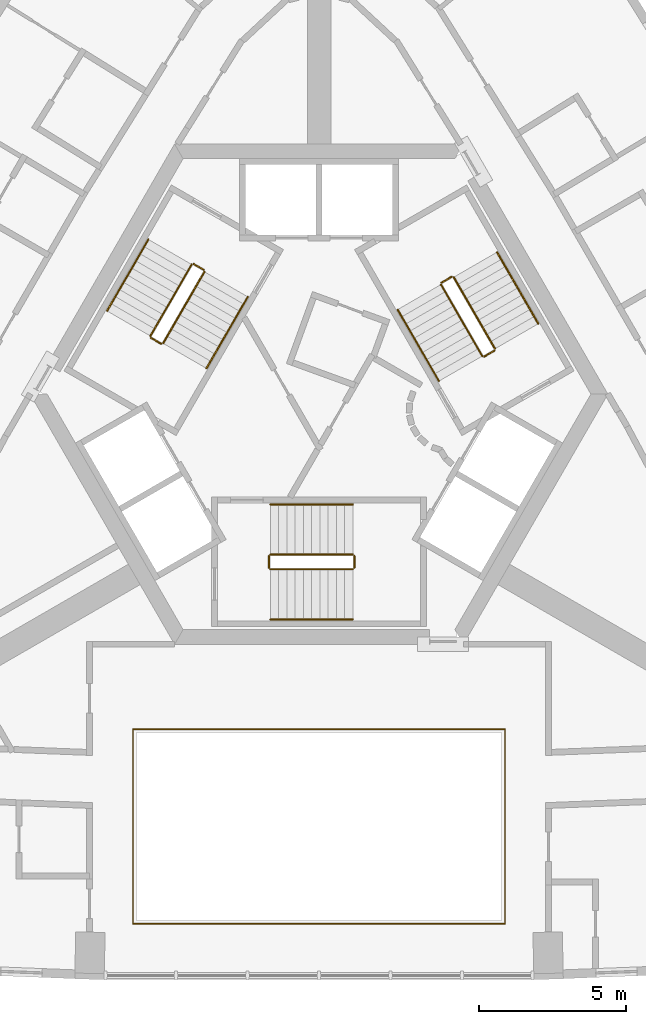
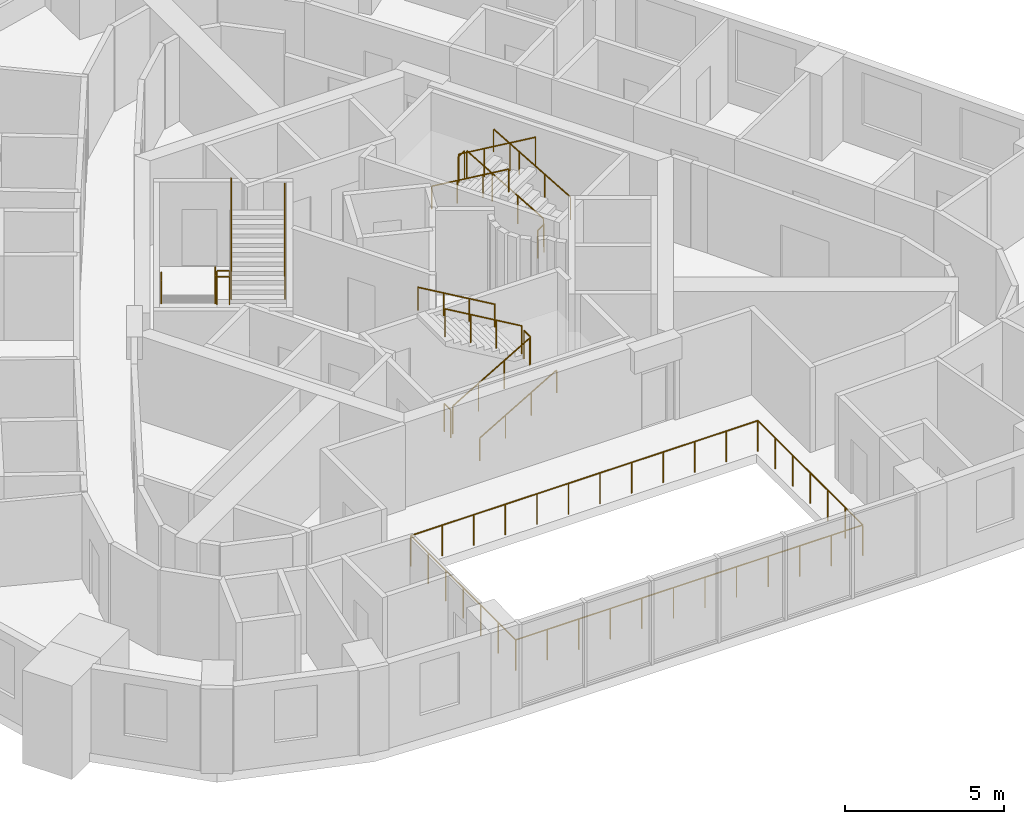
# One storey, part 9 of 9: 19 railings.
"""IFC4 building model written with IfcOpenShell, lengths in metres."""

from ifc_helpers import new_model, si_unit, direction, frame, origin, origin_2d, place, context, subcontext, project, spatial, circle, extrude, material, type_object, element, save


model = new_model("IFC4")

# Units and contexts
model_context = context("Model", 3, precision=1e-05, world=origin(), true_north=direction((0.0, 1.0)))
body_context = subcontext(model_context, "Body", "Model", "MODEL_VIEW")
ifc_project = project(units=[si_unit("LENGTHUNIT", "METRE"), si_unit("AREAUNIT", "SQUARE_METRE"), si_unit("VOLUMEUNIT", "CUBIC_METRE"), si_unit("PLANEANGLEUNIT", "RADIAN"), si_unit("MASSUNIT", "GRAM", prefix="KILO")], contexts=[model_context])

# Site, building, storey
site_placement = place(None, origin())
site = spatial("IfcSite", under=ifc_project, at=site_placement, CompositionType="ELEMENT")
building_placement = place(site_placement, origin())
building = spatial("IfcBuilding", under=site, at=building_placement, Name="Entoto Arch Interchange Tower", CompositionType="ELEMENT")
storey_placement = place(building_placement, frame((0.0, 0.0, 290.0)))
storey = spatial("IfcBuildingStorey", under=building, at=storey_placement, Name="L67", CompositionType="ELEMENT", Elevation=290.0)

# Railings
ifc_material = material(Name="Stainless steel 1.4301", Category="steel")
railing_type_1 = type_object("IfcRailingType", Name="ATRIUM GUARD 1200 STEEL AND GLASS", PredefinedType="GUARDRAIL", material=ifc_material)
railing_1_placement = place(storey_placement, frame((6.320068359375, -15.5009765625, 0.0)))
element("IfcRailing", 1, at=railing_1_placement, inside=storey, type_object=railing_type_1, Name="Atrium guard L67", PredefinedType="GUARDRAIL", context=body_context, shape_type="SweptSolid", body=[
    extrude(circle(Radius=0.02392578125, at=origin_2d()), frame((0.0, 0.0, 1.17578125), z_axis=(-1.0, 0.0, 0.0), x_axis=(0.0, -1.0, 0.0)), (0.0, 0.0, 1.0), 12.64013671875),
    extrude(circle(Radius=0.02392578125, at=origin_2d()), frame((-12.64013671875, 0.0, 1.17578125), z_axis=(0.0, 1.0, 0.0), x_axis=(-1.0, 0.0, 0.0)), (0.0, 0.0, 1.0), 6.62109375),
    extrude(circle(Radius=0.02392578125, at=origin_2d()), frame((-12.64013671875, 6.62109375, 1.17578125), z_axis=(1.0, 0.0, 0.0), x_axis=(0.0, 1.0, 0.0)), (0.0, 0.0, 1.0), 12.64013671875),
    extrude(circle(Radius=0.02392578125, at=origin_2d()), frame((0.0, 6.62109375, 1.17578125), z_axis=(0.0, -1.0, 0.0), x_axis=(1.0, 0.0, 0.0)), (0.0, 0.0, 1.0), 6.62109375),
    extrude(circle(Radius=0.02099609375, at=origin_2d()), origin(), (0.0, 0.0, 1.0), 1.15185546875),
    extrude(circle(Radius=0.02099609375, at=origin_2d()), frame((-1.149169921875, 0.0, 0.0)), (0.0, 0.0, 1.0), 1.15185546875),
    extrude(circle(Radius=0.02099609375, at=origin_2d()), frame((-2.298095703125, 0.0, 0.0)), (0.0, 0.0, 1.0), 1.15185546875),
    extrude(circle(Radius=0.02099609375, at=origin_2d()), frame((-3.447265625, 0.0, 0.0)), (0.0, 0.0, 1.0), 1.15185546875),
    extrude(circle(Radius=0.02099609375, at=origin_2d()), frame((-4.596435546875, 0.0, 0.0)), (0.0, 0.0, 1.0), 1.15185546875),
    extrude(circle(Radius=0.02099609375, at=origin_2d()), frame((-5.74560546875, 0.0, 0.0)), (0.0, 0.0, 1.0), 1.15185546875),
    extrude(circle(Radius=0.02099609375, at=origin_2d()), frame((-6.89453125, 0.0, 0.0)), (0.0, 0.0, 1.0), 1.15185546875),
    extrude(circle(Radius=0.02099609375, at=origin_2d()), frame((-8.043701171875, 0.0, 0.0)), (0.0, 0.0, 1.0), 1.15185546875),
    extrude(circle(Radius=0.02099609375, at=origin_2d()), frame((-9.19287109375, 0.0, 0.0)), (0.0, 0.0, 1.0), 1.15185546875),
    extrude(circle(Radius=0.02099609375, at=origin_2d()), frame((-10.342041015625, 0.0, 0.0)), (0.0, 0.0, 1.0), 1.15185546875),
    extrude(circle(Radius=0.02099609375, at=origin_2d()), frame((-11.490966796875, 0.0, 0.0)), (0.0, 0.0, 1.0), 1.15185546875),
    extrude(circle(Radius=0.02099609375, at=origin_2d()), frame((-12.64013671875, 0.0, 0.0)), (0.0, 0.0, 1.0), 1.15185546875),
    extrude(circle(Radius=0.02099609375, at=origin_2d()), frame((-12.64013671875, 1.103515625, 0.0)), (0.0, 0.0, 1.0), 1.15185546875),
    extrude(circle(Radius=0.02099609375, at=origin_2d()), frame((-12.64013671875, 2.20703125, 0.0)), (0.0, 0.0, 1.0), 1.15185546875),
    extrude(circle(Radius=0.02099609375, at=origin_2d()), frame((-12.64013671875, 3.310546875, 0.0)), (0.0, 0.0, 1.0), 1.15185546875),
    extrude(circle(Radius=0.02099609375, at=origin_2d()), frame((-12.64013671875, 4.4140625, 0.0)), (0.0, 0.0, 1.0), 1.15185546875),
    extrude(circle(Radius=0.02099609375, at=origin_2d()), frame((-12.64013671875, 5.517578125, 0.0)), (0.0, 0.0, 1.0), 1.15185546875),
    extrude(circle(Radius=0.02099609375, at=origin_2d()), frame((-12.64013671875, 6.62109375, 0.0)), (0.0, 0.0, 1.0), 1.15185546875),
    extrude(circle(Radius=0.02099609375, at=origin_2d()), frame((-11.490966796875, 6.62109375, 0.0)), (0.0, 0.0, 1.0), 1.15185546875),
    extrude(circle(Radius=0.02099609375, at=origin_2d()), frame((-10.342041015625, 6.62109375, 0.0)), (0.0, 0.0, 1.0), 1.15185546875),
    extrude(circle(Radius=0.02099609375, at=origin_2d()), frame((-9.19287109375, 6.62109375, 0.0)), (0.0, 0.0, 1.0), 1.15185546875),
    extrude(circle(Radius=0.02099609375, at=origin_2d()), frame((-8.043701171875, 6.62109375, 0.0)), (0.0, 0.0, 1.0), 1.15185546875),
    extrude(circle(Radius=0.02099609375, at=origin_2d()), frame((-6.89453125, 6.62109375, 0.0)), (0.0, 0.0, 1.0), 1.15185546875),
    extrude(circle(Radius=0.02099609375, at=origin_2d()), frame((-5.74560546875, 6.62109375, 0.0)), (0.0, 0.0, 1.0), 1.15185546875),
    extrude(circle(Radius=0.02099609375, at=origin_2d()), frame((-4.596435546875, 6.62109375, 0.0)), (0.0, 0.0, 1.0), 1.15185546875),
    extrude(circle(Radius=0.02099609375, at=origin_2d()), frame((-3.447265625, 6.62109375, 0.0)), (0.0, 0.0, 1.0), 1.15185546875),
    extrude(circle(Radius=0.02099609375, at=origin_2d()), frame((-2.298095703125, 6.62109375, 0.0)), (0.0, 0.0, 1.0), 1.15185546875),
    extrude(circle(Radius=0.02099609375, at=origin_2d()), frame((-1.149169921875, 6.62109375, 0.0)), (0.0, 0.0, 1.0), 1.15185546875),
    extrude(circle(Radius=0.02099609375, at=origin_2d()), frame((0.0, 6.62109375, 0.0)), (0.0, 0.0, 1.0), 1.15185546875),
    extrude(circle(Radius=0.02099609375, at=origin_2d()), frame((0.0, 5.517578125, 0.0)), (0.0, 0.0, 1.0), 1.15185546875),
    extrude(circle(Radius=0.02099609375, at=origin_2d()), frame((0.0, 4.4140625, 0.0)), (0.0, 0.0, 1.0), 1.15185546875),
    extrude(circle(Radius=0.02099609375, at=origin_2d()), frame((0.0, 3.310546875, 0.0)), (0.0, 0.0, 1.0), 1.15185546875),
    extrude(circle(Radius=0.02099609375, at=origin_2d()), frame((0.0, 2.20703125, 0.0)), (0.0, 0.0, 1.0), 1.15185546875),
    extrude(circle(Radius=0.02099609375, at=origin_2d()), frame((0.0, 1.103515625, 0.0)), (0.0, 0.0, 1.0), 1.15185546875),
])
railing_type_2 = type_object("IfcRailingType", Name="STAIR GUARD 1100 STEEL", PredefinedType="GUARDRAIL", material=ifc_material)
railing_2_placement = place(storey_placement, frame((-1.64990234375, -3.449951171875, 0.16357421875)))
element("IfcRailing", 2, at=railing_2_placement, inside=storey, type_object=railing_type_2, Name="L67 ST-S stair guard 1", PredefinedType="GUARDRAIL", context=body_context, shape_type="SweptSolid", body=[
    extrude(circle(Radius=0.02392578125, at=origin_2d()), frame((0.0, 0.0, 1.076171875), z_axis=(0.863341702679, 0.0, 0.504619762213), x_axis=(0.0, 1.0, 0.0)), (0.0, 0.0, 1.0), 3.242919921875),
    extrude(circle(Radius=0.02099609375, at=origin_2d()), origin(), (0.0, 0.0, 1.0), 1.052001953125),
    extrude(circle(Radius=0.02099609375, at=origin_2d()), frame((0.933349609375, 0.0, 0.54541015625)), (0.0, 0.0, 1.0), 1.052001953125),
    extrude(circle(Radius=0.02099609375, at=origin_2d()), frame((1.866455078125, 0.0, 1.091064453125)), (0.0, 0.0, 1.0), 1.052001953125),
    extrude(circle(Radius=0.02099609375, at=origin_2d()), frame((2.7998046875, 0.0, 1.636474609375)), (0.0, 0.0, 1.0), 1.052001953125),
])
railing_3_placement = place(storey_placement, frame((1.199951171875, -3.39990234375, 1.800048828125)))
element("IfcRailing", 3, at=railing_3_placement, inside=storey, type_object=railing_type_2, Name="L67 ST-S stair guard 2", PredefinedType="GUARDRAIL", context=body_context, shape_type="SweptSolid", body=[
    extrude(circle(Radius=0.02392578125, at=origin_2d()), frame((0.0, 0.0, 1.076171875), z_axis=(0.0, 1.0, 0.0), x_axis=(-1.0, 0.0, 0.0)), (0.0, 0.0, 1.0), 0.39990234375),
    extrude(circle(Radius=0.02099609375, at=origin_2d()), origin(), (0.0, 0.0, 1.0), 1.052001953125),
    extrude(circle(Radius=0.02099609375, at=origin_2d()), frame((0.0, 0.39990234375, 0.0)), (0.0, 0.0, 1.0), 1.052001953125),
])
railing_4_placement = place(storey_placement, frame((1.14990234375, -2.949951171875, 1.963623046875)))
element("IfcRailing", 4, at=railing_4_placement, inside=storey, type_object=railing_type_2, Name="L67 ST-S stair guard 3", PredefinedType="GUARDRAIL", context=body_context, shape_type="SweptSolid", body=[
    extrude(circle(Radius=0.02392578125, at=origin_2d()), frame((0.0, 0.0, 1.076171875), z_axis=(-0.863341702679, 0.0, 0.504619762213), x_axis=(0.0, -1.0, 0.0)), (0.0, 0.0, 1.0), 3.242919921875),
    extrude(circle(Radius=0.02099609375, at=origin_2d()), origin(), (0.0, 0.0, 1.0), 1.052001953125),
    extrude(circle(Radius=0.02099609375, at=origin_2d()), frame((-0.933349609375, 0.0, 0.54541015625)), (0.0, 0.0, 1.0), 1.052001953125),
    extrude(circle(Radius=0.02099609375, at=origin_2d()), frame((-1.866455078125, 0.0, 1.091064453125)), (0.0, 0.0, 1.0), 1.052001953125),
    extrude(circle(Radius=0.02099609375, at=origin_2d()), frame((-2.7998046875, 0.0, 1.636474609375)), (0.0, 0.0, 1.0), 1.052001953125),
])
railing_5_placement = place(storey_placement, frame((-1.699951171875, -3.39990234375, 0.0)))
element("IfcRailing", 5, at=railing_5_placement, inside=storey, type_object=railing_type_2, Name="L67 ST-S stair guard 4", PredefinedType="GUARDRAIL", context=body_context, shape_type="SweptSolid", body=[
    extrude(circle(Radius=0.02392578125, at=origin_2d()), frame((0.0, 0.0, 1.076171875), z_axis=(0.0, 1.0, 0.0), x_axis=(-1.0, 0.0, 0.0)), (0.0, 0.0, 1.0), 0.39990234375),
    extrude(circle(Radius=0.02099609375, at=origin_2d()), origin(), (0.0, 0.0, 1.0), 1.052001953125),
    extrude(circle(Radius=0.02099609375, at=origin_2d()), frame((0.0, 0.39990234375, 0.0)), (0.0, 0.0, 1.0), 1.052001953125),
])
railing_6_placement = place(storey_placement, frame((5.977783203125, 4.046142578125, 0.16357421875)))
element("IfcRailing", 6, at=railing_6_placement, inside=storey, type_object=railing_type_2, Name="L67 ST-NE stair guard 1", PredefinedType="GUARDRAIL", context=body_context, shape_type="SweptSolid", body=[
    extrude(circle(Radius=0.02392578125, at=origin_2d()), frame((0.0, 0.0, 1.076171875), z_axis=(-0.431660630283, 0.747689811644, 0.504607813879), x_axis=(-0.866034573852, -0.49998411664, 0.0)), (0.0, 0.0, 1.0), 3.2431640625),
    extrude(circle(Radius=0.02099609375, at=origin_2d()), origin(), (0.0, 0.0, 1.0), 1.052001953125),
    extrude(circle(Radius=0.02099609375, at=origin_2d()), frame((-0.466552734375, 0.808349609375, 0.54541015625)), (0.0, 0.0, 1.0), 1.052001953125),
    extrude(circle(Radius=0.02099609375, at=origin_2d()), frame((-0.933349609375, 1.616455078125, 1.091064453125)), (0.0, 0.0, 1.0), 1.052001953125),
    extrude(circle(Radius=0.02099609375, at=origin_2d()), frame((-1.39990234375, 2.4248046875, 1.636474609375)), (0.0, 0.0, 1.0), 1.052001953125),
])
railing_7_placement = place(storey_placement, frame((4.509521484375, 6.4892578125, 1.800048828125)))
element("IfcRailing", 7, at=railing_7_placement, inside=storey, type_object=railing_type_2, Name="L67 ST-NE stair guard 2", PredefinedType="GUARDRAIL", context=body_context, shape_type="SweptSolid", body=[
    extrude(circle(Radius=0.02392578125, at=origin_2d()), frame((0.0, 0.0, 1.076171875), z_axis=(-0.866094119867, -0.499880961361, 0.0), x_axis=(0.499880961361, -0.866094119867, 0.0)), (0.0, 0.0, 1.0), 0.39990234375),
    extrude(circle(Radius=0.02099609375, at=origin_2d()), origin(), (0.0, 0.0, 1.0), 1.052001953125),
    extrude(circle(Radius=0.02099609375, at=origin_2d()), frame((-0.346435546875, -0.199951171875, 0.0)), (0.0, 0.0, 1.0), 1.052001953125),
])
railing_8_placement = place(storey_placement, frame((4.144775390625, 6.220947265625, 1.963623046875)))
element("IfcRailing", 8, at=railing_8_placement, inside=storey, type_object=railing_type_2, Name="L67 ST-NE stair guard 3", PredefinedType="GUARDRAIL", context=body_context, shape_type="SweptSolid", body=[
    extrude(circle(Radius=0.02392578125, at=origin_2d()), frame((0.0, 0.0, 1.076171875), z_axis=(0.431721881032, -0.747665513933, 0.504591415616), x_axis=(0.865996816683, 0.500049511043, 0.0)), (0.0, 0.0, 1.0), 3.2431640625),
    extrude(circle(Radius=0.02099609375, at=origin_2d()), origin(), (0.0, 0.0, 1.0), 1.052001953125),
    extrude(circle(Radius=0.02099609375, at=origin_2d()), frame((0.466796875, -0.808349609375, 0.54541015625)), (0.0, 0.0, 1.0), 1.052001953125),
    extrude(circle(Radius=0.02099609375, at=origin_2d()), frame((0.933349609375, -1.616455078125, 1.091064453125)), (0.0, 0.0, 1.0), 1.052001953125),
    extrude(circle(Radius=0.02099609375, at=origin_2d()), frame((1.400146484375, -2.4248046875, 1.636474609375)), (0.0, 0.0, 1.0), 1.052001953125),
])
railing_9_placement = place(storey_placement, frame((5.95947265625, 3.977783203125, 0.0)))
element("IfcRailing", 9, at=railing_9_placement, inside=storey, type_object=railing_type_2, Name="L67 ST-NE stair guard 4", PredefinedType="GUARDRAIL", context=body_context, shape_type="SweptSolid", body=[
    extrude(circle(Radius=0.02392578125, at=origin_2d()), frame((0.0, 0.0, 1.076171875), z_axis=(-0.866094119867, -0.499880961361, 0.0), x_axis=(0.499880961361, -0.866094119867, 0.0)), (0.0, 0.0, 1.0), 0.39990234375),
    extrude(circle(Radius=0.02099609375, at=origin_2d()), origin(), (0.0, 0.0, 1.0), 1.052001953125),
    extrude(circle(Radius=0.02099609375, at=origin_2d()), frame((-0.346435546875, -0.199951171875, 0.0)), (0.0, 0.0, 1.0), 1.052001953125),
])
railing_10_placement = place(storey_placement, frame((-4.327880859375, 6.904052734375, 0.16357421875)))
element("IfcRailing", 10, at=railing_10_placement, inside=storey, type_object=railing_type_2, Name="L67 ST-NW stair guard 1", PredefinedType="GUARDRAIL", context=body_context, shape_type="SweptSolid", body=[
    extrude(circle(Radius=0.02392578125, at=origin_2d()), frame((0.0, 0.0, 1.076171875), z_axis=(-0.431636334334, -0.747723004699, 0.504579412111), x_axis=(0.866056369097, -0.49994636267, 0.0)), (0.0, 0.0, 1.0), 3.2431640625),
    extrude(circle(Radius=0.02099609375, at=origin_2d()), origin(), (0.0, 0.0, 1.0), 1.052001953125),
    extrude(circle(Radius=0.02099609375, at=origin_2d()), frame((-0.466552734375, -0.808349609375, 0.54541015625)), (0.0, 0.0, 1.0), 1.052001953125),
    extrude(circle(Radius=0.02099609375, at=origin_2d()), frame((-0.933349609375, -1.61669921875, 1.091064453125)), (0.0, 0.0, 1.0), 1.052001953125),
    extrude(circle(Radius=0.02099609375, at=origin_2d()), frame((-1.39990234375, -2.425048828125, 1.636474609375)), (0.0, 0.0, 1.0), 1.052001953125),
])
railing_11_placement = place(storey_placement, frame((-5.70947265625, 4.410888671875, 1.800048828125)))
element("IfcRailing", 11, at=railing_11_placement, inside=storey, type_object=railing_type_2, Name="L67 ST-NW stair guard 2", PredefinedType="GUARDRAIL", context=body_context, shape_type="SweptSolid", body=[
    extrude(circle(Radius=0.02392578125, at=origin_2d()), frame((0.0, 0.0, 1.076171875), z_axis=(0.865829829939, -0.500338590944, 0.0), x_axis=(0.500338590944, 0.865829829939, 0.0)), (0.0, 0.0, 1.0), 0.400146484375),
    extrude(circle(Radius=0.02099609375, at=origin_2d()), origin(), (0.0, 0.0, 1.0), 1.052001953125),
    extrude(circle(Radius=0.02099609375, at=origin_2d()), frame((0.346435546875, -0.2001953125, 0.0)), (0.0, 0.0, 1.0), 1.052001953125),
])
railing_12_placement = place(storey_placement, frame((-5.294921875, 4.22900390625, 1.963623046875)))
element("IfcRailing", 12, at=railing_12_placement, inside=storey, type_object=railing_type_2, Name="L67 ST-NW stair guard 3", PredefinedType="GUARDRAIL", context=body_context, shape_type="SweptSolid", body=[
    extrude(circle(Radius=0.02392578125, at=origin_2d()), frame((0.0, 0.0, 1.076171875), z_axis=(0.431697583215, 0.747698708645, 0.504563016616), x_axis=(-0.866018616679, 0.500011755427, 0.0)), (0.0, 0.0, 1.0), 3.243408203125),
    extrude(circle(Radius=0.02099609375, at=origin_2d()), origin(), (0.0, 0.0, 1.0), 1.052001953125),
    extrude(circle(Radius=0.02099609375, at=origin_2d()), frame((0.466796875, 0.808349609375, 0.54541015625)), (0.0, 0.0, 1.0), 1.052001953125),
    extrude(circle(Radius=0.02099609375, at=origin_2d()), frame((0.933349609375, 1.61669921875, 1.091064453125)), (0.0, 0.0, 1.0), 1.052001953125),
    extrude(circle(Radius=0.02099609375, at=origin_2d()), frame((1.400146484375, 2.425048828125, 1.636474609375)), (0.0, 0.0, 1.0), 1.052001953125),
])
railing_13_placement = place(storey_placement, frame((-4.259521484375, 6.92236328125, 0.0)))
element("IfcRailing", 13, at=railing_13_placement, inside=storey, type_object=railing_type_2, Name="L67 ST-NW stair guard 4", PredefinedType="GUARDRAIL", context=body_context, shape_type="SweptSolid", body=[
    extrude(circle(Radius=0.02392578125, at=origin_2d()), frame((0.0, 0.0, 1.076171875), z_axis=(0.865829829939, -0.500338590944, 0.0), x_axis=(0.500338590944, 0.865829829939, 0.0)), (0.0, 0.0, 1.0), 0.400146484375),
    extrude(circle(Radius=0.02099609375, at=origin_2d()), origin(), (0.0, 0.0, 1.0), 1.052001953125),
    extrude(circle(Radius=0.02099609375, at=origin_2d()), frame((0.346435546875, -0.2001953125, 0.0)), (0.0, 0.0, 1.0), 1.052001953125),
])
railing_type_3 = type_object("IfcRailingType", Name="STAIR HANDRAIL 900 STEEL", PredefinedType="HANDRAIL", material=ifc_material)
railing_14_placement = place(storey_placement, frame((-1.64990234375, -5.14990234375, 0.16357421875)))
element("IfcRailing", 14, at=railing_14_placement, inside=storey, type_object=railing_type_3, Name="L67 ST-S stair handrail 1", PredefinedType="HANDRAIL", context=body_context, shape_type="SweptSolid", body=[
    extrude(circle(Radius=0.02392578125, at=origin_2d()), frame((0.0, 0.0, 0.8759765625), z_axis=(0.863341702679, 0.0, 0.504619762213), x_axis=(0.0, 1.0, 0.0)), (0.0, 0.0, 1.0), 3.242919921875),
    extrude(circle(Radius=0.02099609375, at=origin_2d()), origin(), (0.0, 0.0, 1.0), 0.851806640625),
    extrude(circle(Radius=0.02099609375, at=origin_2d()), frame((0.933349609375, 0.0, 0.54541015625)), (0.0, 0.0, 1.0), 0.851806640625),
    extrude(circle(Radius=0.02099609375, at=origin_2d()), frame((1.866455078125, 0.0, 1.091064453125)), (0.0, 0.0, 1.0), 0.851806640625),
    extrude(circle(Radius=0.02099609375, at=origin_2d()), frame((2.7998046875, 0.0, 1.636474609375)), (0.0, 0.0, 1.0), 0.851806640625),
])
railing_15_placement = place(storey_placement, frame((1.14990234375, -1.25, 1.963623046875)))
element("IfcRailing", 15, at=railing_15_placement, inside=storey, type_object=railing_type_3, Name="L67 ST-S stair handrail 2", PredefinedType="HANDRAIL", context=body_context, shape_type="SweptSolid", body=[
    extrude(circle(Radius=0.02392578125, at=origin_2d()), frame((0.0, 0.0, 0.8759765625), z_axis=(-0.863341702679, 0.0, 0.504619762213), x_axis=(0.0, -1.0, 0.0)), (0.0, 0.0, 1.0), 3.242919921875),
    extrude(circle(Radius=0.02099609375, at=origin_2d()), origin(), (0.0, 0.0, 1.0), 0.851806640625),
    extrude(circle(Radius=0.02099609375, at=origin_2d()), frame((-0.933349609375, 0.0, 0.54541015625)), (0.0, 0.0, 1.0), 0.851806640625),
    extrude(circle(Radius=0.02099609375, at=origin_2d()), frame((-1.866455078125, 0.0, 1.091064453125)), (0.0, 0.0, 1.0), 0.851806640625),
    extrude(circle(Radius=0.02099609375, at=origin_2d()), frame((-2.7998046875, 0.0, 1.636474609375)), (0.0, 0.0, 1.0), 0.851806640625),
])
railing_16_placement = place(storey_placement, frame((7.4501953125, 4.89599609375, 0.16357421875)))
element("IfcRailing", 16, at=railing_16_placement, inside=storey, type_object=railing_type_3, Name="L67 ST-NE stair handrail 1", PredefinedType="HANDRAIL", context=body_context, shape_type="SweptSolid", body=[
    extrude(circle(Radius=0.02392578125, at=origin_2d()), frame((0.0, 0.0, 0.8759765625), z_axis=(-0.431697583215, 0.747698708645, 0.504563016616), x_axis=(-0.866018616679, -0.500011755427, 0.0)), (0.0, 0.0, 1.0), 3.243408203125),
    extrude(circle(Radius=0.02099609375, at=origin_2d()), origin(), (0.0, 0.0, 1.0), 0.851806640625),
    extrude(circle(Radius=0.02099609375, at=origin_2d()), frame((-0.466796875, 0.808349609375, 0.54541015625)), (0.0, 0.0, 1.0), 0.851806640625),
    extrude(circle(Radius=0.02099609375, at=origin_2d()), frame((-0.933349609375, 1.61669921875, 1.091064453125)), (0.0, 0.0, 1.0), 0.851806640625),
    extrude(circle(Radius=0.02099609375, at=origin_2d()), frame((-1.400146484375, 2.425048828125, 1.636474609375)), (0.0, 0.0, 1.0), 0.851806640625),
])
railing_17_placement = place(storey_placement, frame((2.672607421875, 5.370849609375, 1.963623046875)))
element("IfcRailing", 17, at=railing_17_placement, inside=storey, type_object=railing_type_3, Name="L67 ST-NE stair handrail 2", PredefinedType="HANDRAIL", context=body_context, shape_type="SweptSolid", body=[
    extrude(circle(Radius=0.02392578125, at=origin_2d()), frame((0.0, 0.0, 0.8759765625), z_axis=(0.431660630283, -0.747689811644, 0.504607813879), x_axis=(0.866034573852, 0.49998411664, 0.0)), (0.0, 0.0, 1.0), 3.2431640625),
    extrude(circle(Radius=0.02099609375, at=origin_2d()), origin(), (0.0, 0.0, 1.0), 0.851806640625),
    extrude(circle(Radius=0.02099609375, at=origin_2d()), frame((0.466552734375, -0.808349609375, 0.54541015625)), (0.0, 0.0, 1.0), 0.851806640625),
    extrude(circle(Radius=0.02099609375, at=origin_2d()), frame((0.933349609375, -1.616455078125, 1.091064453125)), (0.0, 0.0, 1.0), 0.851806640625),
    extrude(circle(Radius=0.02099609375, at=origin_2d()), frame((1.39990234375, -2.4248046875, 1.636474609375)), (0.0, 0.0, 1.0), 0.851806640625),
])
railing_18_placement = place(storey_placement, frame((-5.800048828125, 7.75390625, 0.16357421875)))
element("IfcRailing", 18, at=railing_18_placement, inside=storey, type_object=railing_type_3, Name="L67 ST-NW stair handrail 1", PredefinedType="HANDRAIL", context=body_context, shape_type="SweptSolid", body=[
    extrude(circle(Radius=0.02392578125, at=origin_2d()), frame((0.0, 0.0, 0.8759765625), z_axis=(-0.431721881032, -0.747665513933, 0.504591415616), x_axis=(0.865996816683, -0.500049511043, 0.0)), (0.0, 0.0, 1.0), 3.2431640625),
    extrude(circle(Radius=0.02099609375, at=origin_2d()), origin(), (0.0, 0.0, 1.0), 0.851806640625),
    extrude(circle(Radius=0.02099609375, at=origin_2d()), frame((-0.466796875, -0.808349609375, 0.54541015625)), (0.0, 0.0, 1.0), 0.851806640625),
    extrude(circle(Radius=0.02099609375, at=origin_2d()), frame((-0.933349609375, -1.616455078125, 1.091064453125)), (0.0, 0.0, 1.0), 0.851806640625),
    extrude(circle(Radius=0.02099609375, at=origin_2d()), frame((-1.400146484375, -2.4248046875, 1.636474609375)), (0.0, 0.0, 1.0), 0.851806640625),
])
railing_19_placement = place(storey_placement, frame((-3.822509765625, 3.379150390625, 1.963623046875)))
element("IfcRailing", 19, at=railing_19_placement, inside=storey, type_object=railing_type_3, Name="L67 ST-NW stair handrail 2", PredefinedType="HANDRAIL", context=body_context, shape_type="SweptSolid", body=[
    extrude(circle(Radius=0.02392578125, at=origin_2d()), frame((0.0, 0.0, 0.8759765625), z_axis=(0.431660630283, 0.747689811644, 0.504607813879), x_axis=(-0.866034573852, 0.49998411664, 0.0)), (0.0, 0.0, 1.0), 3.2431640625),
    extrude(circle(Radius=0.02099609375, at=origin_2d()), origin(), (0.0, 0.0, 1.0), 0.851806640625),
    extrude(circle(Radius=0.02099609375, at=origin_2d()), frame((0.466552734375, 0.808349609375, 0.54541015625)), (0.0, 0.0, 1.0), 0.851806640625),
    extrude(circle(Radius=0.02099609375, at=origin_2d()), frame((0.933349609375, 1.616455078125, 1.091064453125)), (0.0, 0.0, 1.0), 0.851806640625),
    extrude(circle(Radius=0.02099609375, at=origin_2d()), frame((1.39990234375, 2.4248046875, 1.636474609375)), (0.0, 0.0, 1.0), 0.851806640625),
])

save(model, "model.ifc")
